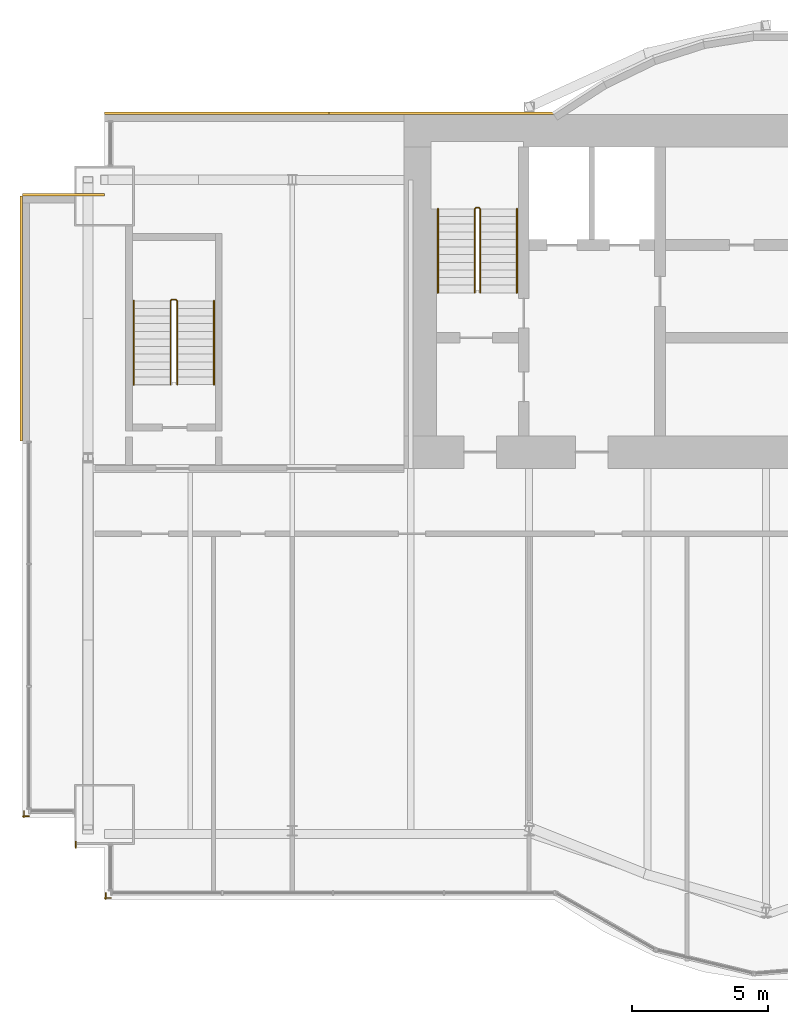
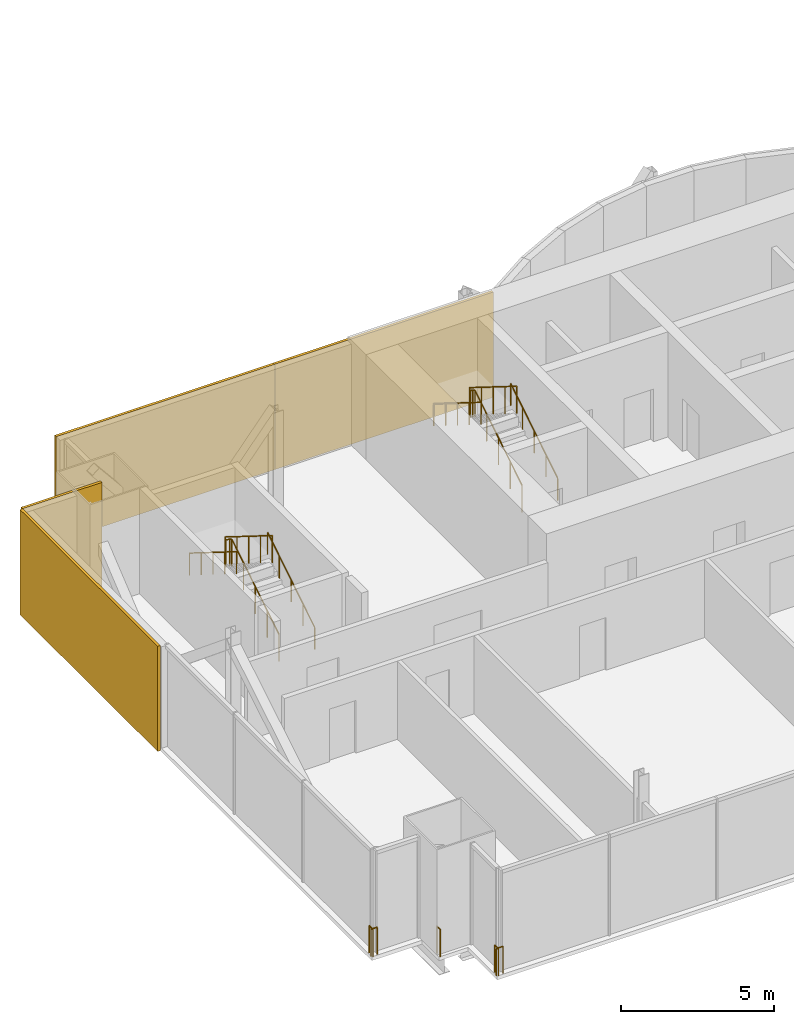
# One storey, part 17 of 19: 9 railings, 4 coverings.
"""IFC4 building model written with IfcOpenShell, lengths in metres."""

from ifc_helpers import new_model, si_unit, direction, frame, origin, origin_2d, place, context, subcontext, project, spatial, rectangle, circle, extrude, material, layer, layer_set, type_object, element, save


model = new_model("IFC4")

# Units and contexts
model_context = context("Model", 3, precision=1e-05, world=origin(), true_north=direction((0.0, 1.0)))
body_context = subcontext(model_context, "Body", "Model", "MODEL_VIEW")
ifc_project = project(units=[si_unit("LENGTHUNIT", "METRE"), si_unit("AREAUNIT", "SQUARE_METRE"), si_unit("VOLUMEUNIT", "CUBIC_METRE"), si_unit("PLANEANGLEUNIT", "RADIAN"), si_unit("MASSUNIT", "GRAM", prefix="KILO")], contexts=[model_context])

# Site, building, storey
site_placement = place(None, origin())
site = spatial("IfcSite", under=ifc_project, at=site_placement, CompositionType="ELEMENT")
building_placement = place(site_placement, origin())
building = spatial("IfcBuilding", under=site, at=building_placement, Name="Bicima Exchange Tower", CompositionType="ELEMENT")
storey_placement = place(building_placement, frame((0.0, 0.0, 266.60009765625)))
storey = spatial("IfcBuildingStorey", under=building, at=storey_placement, Name="L60", CompositionType="ELEMENT", Elevation=266.60009765625)

# Coverings
ifc_material_1 = material(Name="Bronze metal cladding")
ifc_layer_1 = layer(ifc_material_1, 0.004)
ifc_material_2 = material(Name="Ventilated cavity")
ifc_layer_2 = layer(ifc_material_2, 0.06)
ifc_material_3 = material(Name="Galvanised steel rail and mineral wool", Category="steel")
ifc_layer_3 = layer(ifc_material_3, 0.036)
ifc_layer_set = layer_set([ifc_layer_1, ifc_layer_2, ifc_layer_3], Name="Ventilated cavity")
covering_type = type_object("IfcCoveringType", Name="Bronze metal cladding panel 100", PredefinedType="CLADDING", material=ifc_layer_set)
for number, where, z_axis, x_axis, name in (
    (1, (-20.625, 0.050048828125, -0.14990234375), (0.0, 0.0, 1.0), (-1.0, 0.0, 0.0), "Bronze cladding L60 20.1"),
    (2, (-28.875, 0.050048828125, -0.14990234375), (0.0, 0.0, 1.0), (-1.0, 0.0, 0.0), "Bronze cladding L60 20.2"),
):
    element("IfcCovering", number, at=place(storey_placement, frame(where, z_axis=z_axis, x_axis=x_axis)), inside=storey, type_object=covering_type, Name=name, PredefinedType="CLADDING", context=body_context, shape_type="SweptSolid", body=[
        extrude(rectangle(XDim=8.25, YDim=0.10009765625, at=origin_2d()), origin(), (0.0, 0.0, 1.0), 4.199951171875),
    ])
covering_1_placement = place(storey_placement, frame((-34.5, -2.949951171875, -0.14990234375), z_axis=(0.0, 0.0, 1.0), x_axis=(-1.0, 0.0, 0.0)))
element("IfcCovering", 3, at=covering_1_placement, inside=storey, type_object=covering_type, Name="Bronze cladding L60 22.1", PredefinedType="CLADDING", context=body_context, shape_type="SweptSolid", body=[
    extrude(rectangle(XDim=3.0, YDim=0.10009765625, at=origin_2d()), origin(), (0.0, 0.0, 1.0), 4.199951171875),
])
covering_2_placement = place(storey_placement, frame((-36.050048828125, -7.5, -0.14990234375), z_axis=(0.0, 0.0, 1.0), x_axis=(0.0, -1.0, 0.0)))
element("IfcCovering", 4, at=covering_2_placement, inside=storey, type_object=covering_type, Name="Bronze cladding L60 23.1", PredefinedType="CLADDING", context=body_context, shape_type="SweptSolid", body=[
    extrude(rectangle(XDim=9.0, YDim=0.10009765625, at=origin_2d()), origin(), (0.0, 0.0, 1.0), 4.199951171875),
])

# Railings
ifc_material_4 = material(Name="Stainless steel and bonded safety glass", Category="steel")
railing_type_1 = type_object("IfcRailingType", Name="Edge guard 1100", PredefinedType="GUARDRAIL", material=ifc_material_4)
railing_1_placement = place(storey_placement, frame((-35.762939453125, -25.77392578125, 0.0)))
element("IfcRailing", 5, at=railing_1_placement, inside=storey, type_object=railing_type_1, Name="Edge guard L60 307", PredefinedType="GUARDRAIL", context=body_context, shape_type="SweptSolid", body=[
    extrude(circle(Radius=0.02392578125, at=origin_2d()), frame((0.0, 0.0, 1.076171875), z_axis=(-1.0, 0.0, 0.0), x_axis=(0.0, -1.0, 0.0)), (0.0, 0.0, 1.0), 0.237060546875),
    extrude(circle(Radius=0.02392578125, at=origin_2d()), frame((-0.237060546875, 0.0, 1.076171875), z_axis=(0.707106781187, -0.707106781187, 0.0), x_axis=(0.707106781187, 0.707106781187, 0.0)), (0.0, 0.0, 1.0), 0.07080078125),
    extrude(circle(Radius=0.02392578125, at=origin_2d()), frame((-0.18701171875, -0.050048828125, 1.076171875), z_axis=(0.0, 1.0, 0.0), x_axis=(-1.0, 0.0, 0.0)), (0.0, 0.0, 1.0), 0.248046875),
    extrude(circle(Radius=0.02099609375, at=origin_2d()), origin(), (0.0, 0.0, 1.0), 1.052001953125),
    extrude(circle(Radius=0.02099609375, at=origin_2d()), frame((-0.237060546875, 0.0, 0.0)), (0.0, 0.0, 1.0), 1.052001953125),
    extrude(circle(Radius=0.02099609375, at=origin_2d()), frame((-0.18701171875, -0.050048828125, 0.0)), (0.0, 0.0, 1.0), 1.052001953125),
    extrude(circle(Radius=0.02099609375, at=origin_2d()), frame((-0.18701171875, 0.197998046875, 0.0)), (0.0, 0.0, 1.0), 1.052001953125),
])
railing_2_placement = place(storey_placement, frame((-32.75, -28.77392578125, 0.0)))
element("IfcRailing", 6, at=railing_2_placement, inside=storey, type_object=railing_type_1, Name="Edge guard L60 311", PredefinedType="GUARDRAIL", context=body_context, shape_type="SweptSolid", body=[
    extrude(circle(Radius=0.02392578125, at=origin_2d()), frame((0.0, 0.0, 1.076171875), z_axis=(-1.0, 0.0, 0.0), x_axis=(0.0, -1.0, 0.0)), (0.0, 0.0, 1.0), 0.25),
    extrude(circle(Radius=0.02392578125, at=origin_2d()), frame((-0.25, 0.0, 1.076171875), z_axis=(0.707106781187, -0.707106781187, 0.0), x_axis=(0.707106781187, 0.707106781187, 0.0)), (0.0, 0.0, 1.0), 0.07080078125),
    extrude(circle(Radius=0.02392578125, at=origin_2d()), frame((-0.199951171875, -0.050048828125, 1.076171875), z_axis=(0.0, 1.0, 0.0), x_axis=(-1.0, 0.0, 0.0)), (0.0, 0.0, 1.0), 0.237060546875),
    extrude(circle(Radius=0.02099609375, at=origin_2d()), origin(), (0.0, 0.0, 1.0), 1.052001953125),
    extrude(circle(Radius=0.02099609375, at=origin_2d()), frame((-0.25, 0.0, 0.0)), (0.0, 0.0, 1.0), 1.052001953125),
    extrude(circle(Radius=0.02099609375, at=origin_2d()), frame((-0.199951171875, -0.050048828125, 0.0)), (0.0, 0.0, 1.0), 1.052001953125),
    extrude(circle(Radius=0.02099609375, at=origin_2d()), frame((-0.199951171875, 0.18701171875, 0.0)), (0.0, 0.0, 1.0), 1.052001953125),
])
railing_3_placement = place(storey_placement, frame((-34.050048828125, -26.924072265625, 0.0)))
element("IfcRailing", 7, at=railing_3_placement, inside=storey, type_object=railing_type_1, Name="Edge guard L60 312", PredefinedType="GUARDRAIL", context=body_context, shape_type="SweptSolid", body=[
    extrude(circle(Radius=0.02392578125, at=origin_2d()), frame((0.0, 0.0, 1.076171875), z_axis=(0.0, 1.0, 0.0), x_axis=(-1.0, 0.0, 0.0)), (0.0, 0.0, 1.0), 0.219970703125),
    extrude(circle(Radius=0.02099609375, at=origin_2d()), origin(), (0.0, 0.0, 1.0), 1.052001953125),
    extrude(circle(Radius=0.02099609375, at=origin_2d()), frame((0.0, 0.219970703125, 0.0)), (0.0, 0.0, 1.0), 1.052001953125),
])
ifc_material_5 = material(Name="Stainless steel", Category="steel")
railing_type_2 = type_object("IfcRailingType", Name="Stair guard 1100", PredefinedType="GUARDRAIL", material=ifc_material_5)
railing_4_placement = place(storey_placement, frame((-19.199951171875, -6.550048828125, 0.1748046875)))
element("IfcRailing", 8, at=railing_4_placement, inside=storey, type_object=railing_type_2, Name="L60 ST-W stair guard 1", PredefinedType="GUARDRAIL", context=body_context, shape_type="SweptSolid", body=[
    extrude(circle(Radius=0.02392578125, at=origin_2d()), frame((0.0, 0.0, 1.076171875), z_axis=(0.0, 0.847998304005, 0.529998940003), x_axis=(-1.0, 0.0, 0.0)), (0.0, 0.0, 1.0), 3.632080078125),
    extrude(circle(Radius=0.02392578125, at=origin_2d()), frame((0.0, 3.080078125, 3.0009765625), z_axis=(-0.707106781187, 0.707106781187, 0.0), x_axis=(-0.707106781187, -0.707106781187, 0.0)), (0.0, 0.0, 1.0), 0.07080078125),
    extrude(circle(Radius=0.02392578125, at=origin_2d()), frame((-0.050048828125, 3.130126953125, 3.0009765625), z_axis=(-1.0, 0.0, 0.0), x_axis=(0.0, -1.0, 0.0)), (0.0, 0.0, 1.0), 0.10009765625),
    extrude(circle(Radius=0.02392578125, at=origin_2d()), frame((-0.150146484375, 3.130126953125, 3.0009765625), z_axis=(-0.263862480399, -0.265155923931, 0.927399011991), x_axis=(0.708833529934, -0.705375805398, 0.0)), (0.0, 0.0, 1.0), 0.188720703125),
    extrude(circle(Radius=0.02392578125, at=origin_2d()), frame((-0.199951171875, 3.080078125, 3.17626953125), z_axis=(0.0, -0.847998304005, 0.529998940003), x_axis=(1.0, 0.0, 0.0)), (0.0, 0.0, 1.0), 3.632080078125),
    extrude(circle(Radius=0.02099609375, at=origin_2d()), origin(), (0.0, 0.0, 1.0), 1.052001953125),
    extrude(circle(Radius=0.02099609375, at=origin_2d()), frame((0.0, 0.77001953125, 0.481201171875)), (0.0, 0.0, 1.0), 1.052001953125),
    extrude(circle(Radius=0.02099609375, at=origin_2d()), frame((0.0, 1.5400390625, 0.96240234375)), (0.0, 0.0, 1.0), 1.052001953125),
    extrude(circle(Radius=0.02099609375, at=origin_2d()), frame((0.0, 2.31005859375, 1.44384765625)), (0.0, 0.0, 1.0), 1.052001953125),
    extrude(circle(Radius=0.02099609375, at=origin_2d()), frame((0.0, 3.080078125, 1.925048828125)), (0.0, 0.0, 1.0), 1.052001953125),
    extrude(circle(Radius=0.02099609375, at=origin_2d()), frame((-0.050048828125, 3.130126953125, 1.925048828125)), (0.0, 0.0, 1.0), 1.052001953125),
    extrude(circle(Radius=0.02099609375, at=origin_2d()), frame((-0.150146484375, 3.130126953125, 1.925048828125)), (0.0, 0.0, 1.0), 1.052001953125),
    extrude(circle(Radius=0.02099609375, at=origin_2d()), frame((-0.199951171875, 3.080078125, 2.10009765625)), (0.0, 0.0, 1.0), 1.052001953125),
    extrude(circle(Radius=0.02099609375, at=origin_2d()), frame((-0.199951171875, 2.31005859375, 2.581298828125)), (0.0, 0.0, 1.0), 1.052001953125),
    extrude(circle(Radius=0.02099609375, at=origin_2d()), frame((-0.199951171875, 1.5400390625, 3.0625)), (0.0, 0.0, 1.0), 1.052001953125),
    extrude(circle(Radius=0.02099609375, at=origin_2d()), frame((-0.199951171875, 0.77001953125, 3.5439453125)), (0.0, 0.0, 1.0), 1.052001953125),
    extrude(circle(Radius=0.02099609375, at=origin_2d()), frame((-0.199951171875, 0.0, 4.025146484375)), (0.0, 0.0, 1.0), 1.052001953125),
])
railing_5_placement = place(storey_placement, frame((-30.324951171875, -9.925048828125, 0.1748046875)))
element("IfcRailing", 9, at=railing_5_placement, inside=storey, type_object=railing_type_2, Name="L60 ST-WW stair guard 1", PredefinedType="GUARDRAIL", context=body_context, shape_type="SweptSolid", body=[
    extrude(circle(Radius=0.02392578125, at=origin_2d()), frame((0.0, 0.0, 1.076171875), z_axis=(0.0, 0.847998304005, 0.529998940003), x_axis=(-1.0, 0.0, 0.0)), (0.0, 0.0, 1.0), 3.632080078125),
    extrude(circle(Radius=0.02392578125, at=origin_2d()), frame((0.0, 3.080078125, 3.0009765625), z_axis=(-0.707106781187, 0.707106781187, 0.0), x_axis=(-0.707106781187, -0.707106781187, 0.0)), (0.0, 0.0, 1.0), 0.07080078125),
    extrude(circle(Radius=0.02392578125, at=origin_2d()), frame((-0.050048828125, 3.130126953125, 3.0009765625), z_axis=(-1.0, 0.0, 0.0), x_axis=(0.0, -1.0, 0.0)), (0.0, 0.0, 1.0), 0.14990234375),
    extrude(circle(Radius=0.02392578125, at=origin_2d()), frame((-0.199951171875, 3.130126953125, 3.0009765625), z_axis=(-0.265065253269, -0.265065253269, 0.927081885822), x_axis=(0.707106781187, -0.707106781187, 0.0)), (0.0, 0.0, 1.0), 0.188720703125),
    extrude(circle(Radius=0.02392578125, at=origin_2d()), frame((-0.25, 3.080078125, 3.17626953125), z_axis=(0.0, -0.847998304005, 0.529998940003), x_axis=(1.0, 0.0, 0.0)), (0.0, 0.0, 1.0), 3.632080078125),
    extrude(circle(Radius=0.02099609375, at=origin_2d()), origin(), (0.0, 0.0, 1.0), 1.052001953125),
    extrude(circle(Radius=0.02099609375, at=origin_2d()), frame((0.0, 0.77001953125, 0.481201171875)), (0.0, 0.0, 1.0), 1.052001953125),
    extrude(circle(Radius=0.02099609375, at=origin_2d()), frame((0.0, 1.5400390625, 0.96240234375)), (0.0, 0.0, 1.0), 1.052001953125),
    extrude(circle(Radius=0.02099609375, at=origin_2d()), frame((0.0, 2.31005859375, 1.44384765625)), (0.0, 0.0, 1.0), 1.052001953125),
    extrude(circle(Radius=0.02099609375, at=origin_2d()), frame((0.0, 3.080078125, 1.925048828125)), (0.0, 0.0, 1.0), 1.052001953125),
    extrude(circle(Radius=0.02099609375, at=origin_2d()), frame((-0.050048828125, 3.130126953125, 1.925048828125)), (0.0, 0.0, 1.0), 1.052001953125),
    extrude(circle(Radius=0.02099609375, at=origin_2d()), frame((-0.199951171875, 3.130126953125, 1.925048828125)), (0.0, 0.0, 1.0), 1.052001953125),
    extrude(circle(Radius=0.02099609375, at=origin_2d()), frame((-0.25, 3.080078125, 2.10009765625)), (0.0, 0.0, 1.0), 1.052001953125),
    extrude(circle(Radius=0.02099609375, at=origin_2d()), frame((-0.25, 2.31005859375, 2.581298828125)), (0.0, 0.0, 1.0), 1.052001953125),
    extrude(circle(Radius=0.02099609375, at=origin_2d()), frame((-0.25, 1.5400390625, 3.0625)), (0.0, 0.0, 1.0), 1.052001953125),
    extrude(circle(Radius=0.02099609375, at=origin_2d()), frame((-0.25, 0.77001953125, 3.5439453125)), (0.0, 0.0, 1.0), 1.052001953125),
    extrude(circle(Radius=0.02099609375, at=origin_2d()), frame((-0.25, 0.0, 4.025146484375)), (0.0, 0.0, 1.0), 1.052001953125),
])
railing_type_3 = type_object("IfcRailingType", Name="Stair handrail 900", PredefinedType="HANDRAIL", material=ifc_material_5)
railing_6_placement = place(storey_placement, frame((-17.85009765625, -6.550048828125, 0.1748046875)))
element("IfcRailing", 10, at=railing_6_placement, inside=storey, type_object=railing_type_3, Name="L60 ST-W stair handrail 1", PredefinedType="HANDRAIL", context=body_context, shape_type="SweptSolid", body=[
    extrude(circle(Radius=0.02392578125, at=origin_2d()), frame((0.0, 0.0, 0.8759765625), z_axis=(0.0, 0.847998304005, 0.529998940003), x_axis=(-1.0, 0.0, 0.0)), (0.0, 0.0, 1.0), 3.632080078125),
    extrude(circle(Radius=0.02099609375, at=origin_2d()), origin(), (0.0, 0.0, 1.0), 0.851806640625),
    extrude(circle(Radius=0.02099609375, at=origin_2d()), frame((0.0, 0.77001953125, 0.481201171875)), (0.0, 0.0, 1.0), 0.851806640625),
    extrude(circle(Radius=0.02099609375, at=origin_2d()), frame((0.0, 1.5400390625, 0.96240234375)), (0.0, 0.0, 1.0), 0.851806640625),
    extrude(circle(Radius=0.02099609375, at=origin_2d()), frame((0.0, 2.31005859375, 1.44384765625)), (0.0, 0.0, 1.0), 0.851806640625),
    extrude(circle(Radius=0.02099609375, at=origin_2d()), frame((0.0, 3.080078125, 1.925048828125)), (0.0, 0.0, 1.0), 0.851806640625),
])
railing_7_placement = place(storey_placement, frame((-20.75, -3.469970703125, 2.303955078125)))
element("IfcRailing", 11, at=railing_7_placement, inside=storey, type_object=railing_type_3, Name="L60 ST-W stair handrail 2", PredefinedType="HANDRAIL", context=body_context, shape_type="SweptSolid", body=[
    extrude(circle(Radius=0.02392578125, at=origin_2d()), frame((0.0, 0.0, 0.8759765625), z_axis=(0.0, -0.847998304005, 0.529998940003), x_axis=(1.0, 0.0, 0.0)), (0.0, 0.0, 1.0), 3.632080078125),
    extrude(circle(Radius=0.02099609375, at=origin_2d()), origin(), (0.0, 0.0, 1.0), 0.851806640625),
    extrude(circle(Radius=0.02099609375, at=origin_2d()), frame((0.0, -0.77001953125, 0.481201171875)), (0.0, 0.0, 1.0), 0.851806640625),
    extrude(circle(Radius=0.02099609375, at=origin_2d()), frame((0.0, -1.5400390625, 0.96240234375)), (0.0, 0.0, 1.0), 0.851806640625),
    extrude(circle(Radius=0.02099609375, at=origin_2d()), frame((0.0, -2.31005859375, 1.44384765625)), (0.0, 0.0, 1.0), 0.851806640625),
    extrude(circle(Radius=0.02099609375, at=origin_2d()), frame((0.0, -3.080078125, 1.925048828125)), (0.0, 0.0, 1.0), 0.851806640625),
])
railing_8_placement = place(storey_placement, frame((-28.97509765625, -9.925048828125, 0.1748046875)))
element("IfcRailing", 12, at=railing_8_placement, inside=storey, type_object=railing_type_3, Name="L60 ST-WW stair handrail 1", PredefinedType="HANDRAIL", context=body_context, shape_type="SweptSolid", body=[
    extrude(circle(Radius=0.02392578125, at=origin_2d()), frame((0.0, 0.0, 0.8759765625), z_axis=(0.0, 0.847998304005, 0.529998940003), x_axis=(-1.0, 0.0, 0.0)), (0.0, 0.0, 1.0), 3.632080078125),
    extrude(circle(Radius=0.02099609375, at=origin_2d()), origin(), (0.0, 0.0, 1.0), 0.851806640625),
    extrude(circle(Radius=0.02099609375, at=origin_2d()), frame((0.0, 0.77001953125, 0.481201171875)), (0.0, 0.0, 1.0), 0.851806640625),
    extrude(circle(Radius=0.02099609375, at=origin_2d()), frame((0.0, 1.5400390625, 0.96240234375)), (0.0, 0.0, 1.0), 0.851806640625),
    extrude(circle(Radius=0.02099609375, at=origin_2d()), frame((0.0, 2.31005859375, 1.44384765625)), (0.0, 0.0, 1.0), 0.851806640625),
    extrude(circle(Radius=0.02099609375, at=origin_2d()), frame((0.0, 3.080078125, 1.925048828125)), (0.0, 0.0, 1.0), 0.851806640625),
])
railing_9_placement = place(storey_placement, frame((-31.925048828125, -6.844970703125, 2.303955078125)))
element("IfcRailing", 13, at=railing_9_placement, inside=storey, type_object=railing_type_3, Name="L60 ST-WW stair handrail 2", PredefinedType="HANDRAIL", context=body_context, shape_type="SweptSolid", body=[
    extrude(circle(Radius=0.02392578125, at=origin_2d()), frame((0.0, 0.0, 0.8759765625), z_axis=(0.0, -0.847998304005, 0.529998940003), x_axis=(1.0, 0.0, 0.0)), (0.0, 0.0, 1.0), 3.632080078125),
    extrude(circle(Radius=0.02099609375, at=origin_2d()), origin(), (0.0, 0.0, 1.0), 0.851806640625),
    extrude(circle(Radius=0.02099609375, at=origin_2d()), frame((0.0, -0.77001953125, 0.481201171875)), (0.0, 0.0, 1.0), 0.851806640625),
    extrude(circle(Radius=0.02099609375, at=origin_2d()), frame((0.0, -1.5400390625, 0.96240234375)), (0.0, 0.0, 1.0), 0.851806640625),
    extrude(circle(Radius=0.02099609375, at=origin_2d()), frame((0.0, -2.31005859375, 1.44384765625)), (0.0, 0.0, 1.0), 0.851806640625),
    extrude(circle(Radius=0.02099609375, at=origin_2d()), frame((0.0, -3.080078125, 1.925048828125)), (0.0, 0.0, 1.0), 0.851806640625),
])

save(model, "model.ifc")
